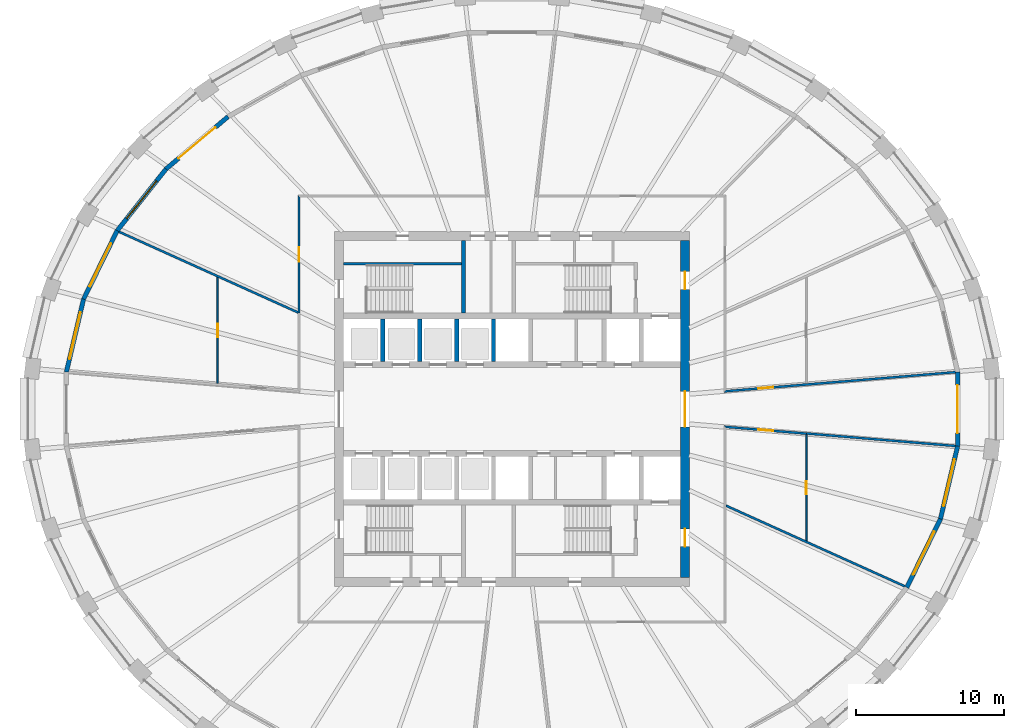
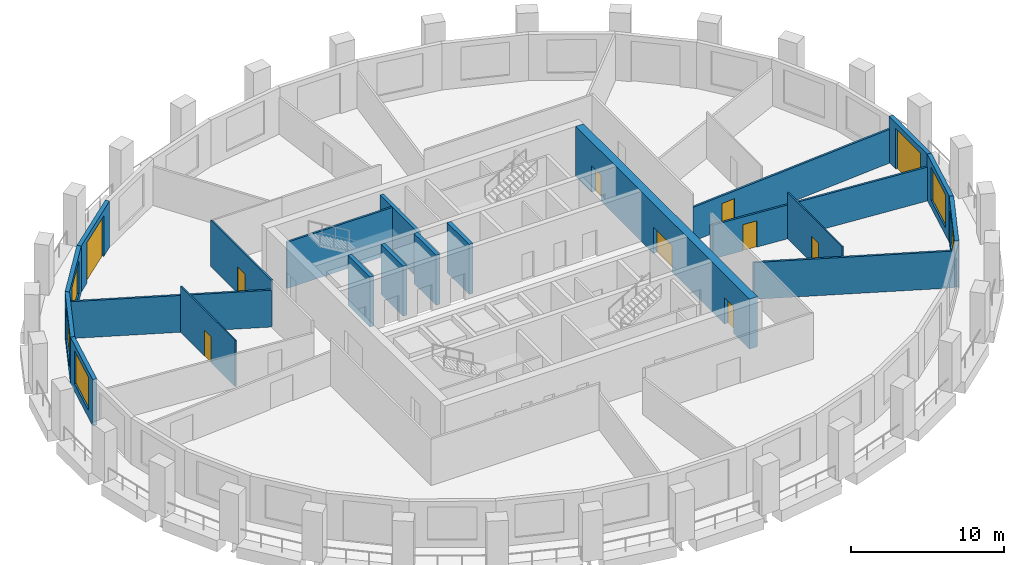
# One storey, part 5 of 10: 22 walls, 10 doors, 5 windows, 15 openings.
"""IFC4 building model written with IfcOpenShell, lengths in metres."""

from ifc_helpers import new_model, si_unit, direction, frame, frame_2d, origin, place, context, subcontext, project, spatial, polyline, rectangle, outline, extrude, material, layer, layer_set, type_object, element, fill, save


model = new_model("IFC4")

# Units and contexts
model_context = context("Model", 3, precision=1e-05, world=origin(), true_north=direction((0.0, 1.0)))
body_context = subcontext(model_context, "Body", "Model", "MODEL_VIEW")
ifc_project = project(units=[si_unit("LENGTHUNIT", "METRE"), si_unit("AREAUNIT", "SQUARE_METRE"), si_unit("VOLUMEUNIT", "CUBIC_METRE"), si_unit("PLANEANGLEUNIT", "RADIAN"), si_unit("MASSUNIT", "GRAM", prefix="KILO")], contexts=[model_context])

# Site, building, storey
site_placement = place(None, origin())
site = spatial("IfcSite", under=ifc_project, at=site_placement, CompositionType="ELEMENT")
building_placement = place(site_placement, origin())
building = spatial("IfcBuilding", under=site, at=building_placement, Name="Halqa Exchange Tower", CompositionType="ELEMENT")
storey_placement = place(building_placement, frame((0.0, 0.0, 186.89990234375)))
storey = spatial("IfcBuildingStorey", under=building, at=storey_placement, Name="L42", CompositionType="ELEMENT", Elevation=186.89990234375)

# Walls
ifc_material_1 = material(Name="Fire-rated gypsum board")
ifc_layer_1 = layer(ifc_material_1, 0.14990234375)
ifc_layer_set_1 = layer_set([ifc_layer_1], Name="Fire-rated gypsum board")
wall_type_1 = type_object("IfcWallType", Name="Fire partition EI 60 150", PredefinedType="PARTITIONING", material=ifc_layer_set_1)
wall_1_placement = place(storey_placement, frame((-26.56494140625, 11.986083984375, 0.0), z_axis=(0.0, 0.0, 1.0), x_axis=(0.911575557789, -0.411132584991, 0.0)))
element("IfcWall", 1, at=wall_1_placement, inside=storey, type_object=wall_type_1, Name="L42-PWL-002", PredefinedType="PARTITIONING", context=body_context, shape_type="SweptSolid", body=[
    extrude(outline(polyline([(0.0, -0.074951171875), (1.8486328125, -0.074951171875), (3.697509765625, -0.074951171875), (5.546142578125, -0.074951171875), (7.394775390625, -0.074951171875), (7.399169921875, -0.072998046875), (7.400146484375, -0.074951171875), (9.365478515625, -0.074951171875), (11.3310546875, -0.074951171875), (13.29638671875, -0.074951171875), (13.29638671875, -0.07470703125), (13.2763671875, -0.030517578125), (13.2900390625, -0.024169921875), (13.245361328125, 0.074951171875), (11.356201171875, 0.074951171875), (9.46728515625, 0.074951171875), (7.578125, 0.074951171875), (5.68896484375, 0.074951171875), (3.800048828125, 0.074951171875), (1.910888671875, 0.074951171875), (0.02197265625, 0.074951171875), (0.002197265625, -0.00341796875), (0.0, -0.070068359375), (0.0, -0.074951171875)])), origin(), (0.0, 0.0, 1.0), 2.947021484375),
])
wall_2_placement = place(storey_placement, frame((14.444091796875, -6.52001953125, 0.0), z_axis=(0.0, 0.0, 1.0), x_axis=(0.911592423636, -0.411095187479, 0.0)))
element("IfcWall", 2, at=wall_2_placement, inside=storey, type_object=wall_type_1, Name="L42-PWL-020", PredefinedType="PARTITIONING", context=body_context, shape_type="SweptSolid", body=[
    extrude(outline(polyline([(0.067626953125, -0.074951171875), (1.954345703125, -0.074951171875), (3.841064453125, -0.074951171875), (5.727783203125, -0.074951171875), (7.614501953125, -0.074951171875), (9.501220703125, -0.074951171875), (11.3876953125, -0.074951171875), (13.2744140625, -0.074951171875), (13.294189453125, 0.00341796875), (13.29638671875, 0.072021484375), (13.29638671875, 0.074951171875), (11.447509765625, 0.074951171875), (9.5986328125, 0.074951171875), (7.749755859375, 0.074951171875), (5.90087890625, 0.074951171875), (5.897216796875, 0.0732421875), (5.896484375, 0.074951171875), (3.930908203125, 0.074951171875), (1.965576171875, 0.074951171875), (0.0, 0.074951171875), (0.067626953125, -0.074951171875)])), origin(), (0.0, 0.0, 1.0), 2.947021484375),
])

# Wall, opening, door
wall_3_placement = place(storey_placement, frame((14.318603515625, -1.193115234375, 0.0), z_axis=(0.0, 0.0, 1.0), x_axis=(0.996519550004, -0.083359381354, 0.0)))
wall_3 = element("IfcWall", 3, at=wall_3_placement, inside=storey, type_object=wall_type_1, Name="L42-PWL-021", PredefinedType="PARTITIONING", context=body_context, shape_type="SweptSolid", body=[
    extrude(outline(polyline([(0.1630859375, -0.074951171875), (1.972900390625, -0.074951171875), (3.78271484375, -0.074951171875), (5.592529296875, -0.074951171875), (5.599853515625, -0.074462890625), (5.599853515625, 0.074951171875), (3.733154296875, 0.074951171875), (1.86669921875, 0.074951171875), (0.0, 0.074951171875), (0.081787109375, 0.0), (0.1630859375, -0.074951171875)])), origin(), (0.0, 0.0, 1.0), 2.710205078125),
])
opening_1_placement = place(wall_3_placement, frame((2.341064453125, 0.0, 0.0)))
opening_1 = element("IfcOpeningElement", 4, at=opening_1_placement, cuts=wall_3, Name="Opening 12-07", PredefinedType="OPENING", context=body_context, shape_type="SweptSolid", body=[
    extrude(rectangle(XDim=1.0, YDim=2.10009765625, at=frame_2d((0.5, 1.050048828125))), frame((0.0, 0.0869140625, 0.0), z_axis=(0.0, -1.0, 0.0), x_axis=(1.0, 0.0, 0.0)), (0.0, 0.0, 1.0), 0.173828125),
])
ifc_material_2 = material(Name="Steel fire door leaf", Category="steel")
door_type_1 = type_object("IfcDoorType", Name="Fire door FD30S 1000 x 2100", OperationType="SINGLE_SWING_LEFT", PredefinedType="DOOR", material=ifc_material_2)
door_1_placement = place(opening_1_placement, frame((1.0, 0.0, 0.0), z_axis=(0.0, 0.0, 1.0), x_axis=(-1.0, 0.0, 0.0)))
door_1 = element("IfcDoor", 5, at=door_1_placement, inside=storey, type_object=door_type_1, Name="L42-IDR-007", OperationType="SINGLE_SWING_LEFT", OverallHeight=2.10009765625, OverallWidth=1.0, PredefinedType="DOOR", context=body_context, shape_type="SweptSolid", body=[
    extrude(rectangle(XDim=1.0, YDim=2.10009765625, at=frame_2d((0.5, 1.050048828125))), frame((0.0, 0.02490234375, 0.0), z_axis=(0.0, -1.0, 0.0), x_axis=(1.0, 0.0, 0.0)), (0.0, 0.0, 1.0), 0.050048828125),
])
fill(opening_1, door_1)

wall_4_placement = place(storey_placement, frame((14.31884765625, 1.193115234375, 0.0), z_axis=(0.0, 0.0, 1.0), x_axis=(0.996561500002, 0.082856361942, 0.0)))
wall_4 = element("IfcWall", 6, at=wall_4_placement, inside=storey, type_object=wall_type_1, Name="L42-PWL-023", PredefinedType="PARTITIONING", context=body_context, shape_type="SweptSolid", body=[
    extrude(outline(polyline([(0.0, -0.074951171875), (1.963134765625, -0.074951171875), (3.92626953125, -0.074951171875), (5.889404296875, -0.074951171875), (7.8525390625, -0.074951171875), (9.815673828125, -0.074951171875), (11.77880859375, -0.074951171875), (13.741943359375, -0.074951171875), (15.705078125, -0.074951171875), (15.705078125, -0.074462890625), (15.705078125, 0.035888671875), (15.69921875, 0.074951171875), (13.757080078125, 0.074951171875), (11.815185546875, 0.074951171875), (9.873046875, 0.074951171875), (7.930908203125, 0.074951171875), (5.989013671875, 0.074951171875), (4.046875, 0.074951171875), (2.104736328125, 0.074951171875), (0.162841796875, 0.074951171875), (0.08154296875, 0.000244140625), (0.0, -0.07470703125), (0.0, -0.074951171875)])), origin(), (0.0, 0.0, 1.0), 2.710205078125),
])
opening_2_placement = place(wall_4_placement, frame((2.341064453125, 0.0, 0.0)))
opening_2 = element("IfcOpeningElement", 7, at=opening_2_placement, cuts=wall_4, Name="Opening 12-08", PredefinedType="OPENING", context=body_context, shape_type="SweptSolid", body=[
    extrude(rectangle(XDim=1.0, YDim=2.10009765625, at=frame_2d((0.5, 1.050048828125))), frame((0.0, 0.0869140625, 0.0), z_axis=(0.0, -1.0, 0.0), x_axis=(1.0, 0.0, 0.0)), (0.0, 0.0, 1.0), 0.173828125),
])
door_2_placement = place(opening_2_placement, origin())
door_2 = element("IfcDoor", 8, at=door_2_placement, inside=storey, type_object=door_type_1, Name="L42-IDR-008", OperationType="SINGLE_SWING_LEFT", OverallHeight=2.10009765625, OverallWidth=1.0, PredefinedType="DOOR", context=body_context, shape_type="SweptSolid", body=[
    extrude(rectangle(XDim=1.0, YDim=2.10009765625, at=frame_2d((0.5, 1.050048828125))), frame((0.0, 0.02490234375, 0.0), z_axis=(0.0, -1.0, 0.0), x_axis=(1.0, 0.0, 0.0)), (0.0, 0.0, 1.0), 0.050048828125),
])
fill(opening_2, door_2)

# Wall
wall_5_placement = place(storey_placement, frame((19.89990234375, -1.64990234375, 0.0), z_axis=(0.0, 0.0, 1.0), x_axis=(0.996505820255, -0.083523351209, 0.0)))
element("IfcWall", 9, at=wall_5_placement, inside=storey, type_object=wall_type_1, Name="L42-PWL-026", PredefinedType="PARTITIONING", context=body_context, shape_type="SweptSolid", body=[
    extrude(outline(polyline([(0.0, -0.074951171875), (1.683349609375, -0.074951171875), (3.366455078125, -0.074951171875), (5.0498046875, -0.074951171875), (6.733154296875, -0.074951171875), (8.41650390625, -0.074951171875), (10.099609375, -0.074951171875), (10.10498046875, -0.039306640625), (10.10498046875, 0.074951171875), (8.4208984375, 0.074951171875), (6.736572265625, 0.074951171875), (5.052490234375, 0.074951171875), (3.368408203125, 0.074951171875), (1.68408203125, 0.074951171875), (0.0, 0.074951171875), (0.0, -0.074951171875)])), origin(), (0.0, 0.0, 1.0), 2.710205078125),
])

# Wall, opening, door
ifc_material_3 = material(Name="Fire-rated glazing", Category="glass")
ifc_layer_2 = layer(ifc_material_3, 0.1201171875)
ifc_layer_set_2 = layer_set([ifc_layer_2], Name="Fire-rated glazing")
wall_type_2 = type_object("IfcWallType", Name="Glazed fire partition EI 60 120", PredefinedType="PARTITIONING", material=ifc_layer_set_2)
wall_6_placement = place(storey_placement, frame((-14.39990234375, 6.5, 0.0), z_axis=(0.0, 0.0, 1.0), x_axis=(0.0, 1.0, 0.0)))
wall_6 = element("IfcWall", 10, at=wall_6_placement, inside=storey, type_object=wall_type_2, Name="L42-PWL-007", PredefinedType="PARTITIONING", context=body_context, shape_type="SweptSolid", body=[
    extrude(outline(polyline([(0.0, -0.06005859375), (1.9599609375, -0.06005859375), (3.919921875, -0.06005859375), (5.8798828125, -0.06005859375), (7.83984375, -0.06005859375), (7.9599609375, 0.06005859375), (5.969970703125, 0.06005859375), (3.97998046875, 0.06005859375), (1.989990234375, 0.06005859375), (0.0, 0.06005859375), (0.0, -0.06005859375)])), origin(), (0.0, 0.0, 1.0), 3.7001953125),
])
opening_3_placement = place(wall_6_placement, frame((3.449951171875, 0.0, 0.0)))
opening_3 = element("IfcOpeningElement", 11, at=opening_3_placement, cuts=wall_6, Name="Opening 12-02", PredefinedType="OPENING", context=body_context, shape_type="SweptSolid", body=[
    extrude(rectangle(XDim=1.0, YDim=2.10009765625, at=frame_2d((0.5, 1.050048828125))), frame((0.0, 0.072021484375, 0.0), z_axis=(0.0, -1.0, 0.0), x_axis=(1.0, 0.0, 0.0)), (0.0, 0.0, 1.0), 0.14404296875),
])
door_3_placement = place(opening_3_placement, origin())
door_3 = element("IfcDoor", 12, at=door_3_placement, inside=storey, type_object=door_type_1, Name="L42-IDR-002", OperationType="SINGLE_SWING_RIGHT", OverallHeight=2.10009765625, OverallWidth=1.0, PredefinedType="DOOR", context=body_context, shape_type="SweptSolid", body=[
    extrude(rectangle(XDim=1.0, YDim=2.10009765625, at=frame_2d((0.5, 1.050048828125))), frame((0.0, 0.02490234375, 0.0), z_axis=(0.0, -1.0, 0.0), x_axis=(1.0, 0.0, 0.0)), (0.0, 0.0, 1.0), 0.050048828125),
])
fill(opening_3, door_3)

ifc_material_4 = material(Name="Gypsum board")
ifc_layer_3 = layer(ifc_material_4, 0.10009765625)
ifc_layer_set_3 = layer_set([ifc_layer_3], Name="Gypsum board")
wall_type_3 = type_object("IfcWallType", Name="Partition 100 gypsum", PredefinedType="PARTITIONING", material=ifc_layer_set_3)
wall_7_placement = place(storey_placement, frame((-19.89990234375, 1.728515625, 0.0), z_axis=(0.0, 0.0, 1.0), x_axis=(0.0, 1.0, 0.0)))
wall_7 = element("IfcWall", 13, at=wall_7_placement, inside=storey, type_object=wall_type_3, Name="L42-PWL-003", PredefinedType="PARTITIONING", context=body_context, shape_type="SweptSolid", body=[
    extrude(outline(polyline([(0.0, -0.050048828125), (1.78662109375, -0.050048828125), (3.5732421875, -0.050048828125), (5.35986328125, -0.050048828125), (7.146484375, -0.050048828125), (7.19140625, 0.04931640625), (7.19140625, 0.050048828125), (5.3955078125, 0.050048828125), (3.599853515625, 0.050048828125), (1.803955078125, 0.050048828125), (0.008056640625, 0.050048828125), (0.0, -0.0478515625), (0.0, -0.050048828125)])), origin(), (0.0, 0.0, 1.0), 3.7001953125),
])
opening_4_placement = place(wall_7_placement, frame((3.1416015625, 0.0, 0.0)))
opening_4 = element("IfcOpeningElement", 14, at=opening_4_placement, cuts=wall_7, Name="Opening 12-11", PredefinedType="OPENING", context=body_context, shape_type="SweptSolid", body=[
    extrude(rectangle(XDim=0.89990234375, YDim=2.10009765625, at=frame_2d((0.449951171875, 1.050048828125))), frame((0.0, 0.06201171875, 0.0), z_axis=(0.0, -1.0, 0.0), x_axis=(1.0, 0.0, 0.0)), (0.0, 0.0, 1.0), 0.1240234375),
])
ifc_material_5 = material(Name="Timber door leaf", Category="wood")
door_type_2 = type_object("IfcDoorType", Name="Door 900 x 2100", OperationType="SINGLE_SWING_LEFT", PredefinedType="DOOR", material=ifc_material_5)
door_4_placement = place(opening_4_placement, frame((0.89990234375, 0.0, 0.0), z_axis=(0.0, 0.0, 1.0), x_axis=(-1.0, 0.0, 0.0)))
door_4 = element("IfcDoor", 15, at=door_4_placement, inside=storey, type_object=door_type_2, Name="L42-IDR-011", OperationType="SINGLE_SWING_LEFT", OverallHeight=2.10009765625, OverallWidth=0.89990234375, PredefinedType="DOOR", context=body_context, shape_type="SweptSolid", body=[
    extrude(rectangle(XDim=0.89990234375, YDim=2.10009765625, at=frame_2d((0.449951171875, 1.050048828125))), frame((0.0, 0.02490234375, 0.0), z_axis=(0.0, -1.0, 0.0), x_axis=(1.0, 0.0, 0.0)), (0.0, 0.0, 1.0), 0.050048828125),
])
fill(opening_4, door_4)

wall_8_placement = place(storey_placement, frame((19.89990234375, -1.7294921875, 0.0), z_axis=(0.0, 0.0, 1.0), x_axis=(0.0, -1.0, 0.0)))
wall_8 = element("IfcWall", 16, at=wall_8_placement, inside=storey, type_object=wall_type_3, Name="L42-PWL-025", PredefinedType="PARTITIONING", context=body_context, shape_type="SweptSolid", body=[
    extrude(outline(polyline([(0.001708984375, -0.050048828125), (1.78759765625, -0.050048828125), (3.57373046875, -0.050048828125), (5.35986328125, -0.050048828125), (7.14599609375, -0.050048828125), (7.19091796875, 0.0498046875), (7.19091796875, 0.050048828125), (5.39306640625, 0.050048828125), (3.595458984375, 0.050048828125), (1.7978515625, 0.050048828125), (0.0, 0.050048828125), (0.0, -0.006591796875), (0.005126953125, -0.007080078125), (0.001708984375, -0.050048828125)])), origin(), (0.0, 0.0, 1.0), 3.7001953125),
])
opening_5_placement = place(wall_8_placement, frame((3.140380859375, 0.0, 0.0)))
opening_5 = element("IfcOpeningElement", 17, at=opening_5_placement, cuts=wall_8, Name="Opening 12-12", PredefinedType="OPENING", context=body_context, shape_type="SweptSolid", body=[
    extrude(rectangle(XDim=0.89990234375, YDim=2.10009765625, at=frame_2d((0.449951171875, 1.050048828125))), frame((0.0, 0.06201171875, 0.0), z_axis=(0.0, -1.0, 0.0), x_axis=(1.0, 0.0, 0.0)), (0.0, 0.0, 1.0), 0.1240234375),
])
door_5_placement = place(opening_5_placement, frame((0.89990234375, 0.0, 0.0), z_axis=(0.0, 0.0, 1.0), x_axis=(-1.0, 0.0, 0.0)))
door_5 = element("IfcDoor", 18, at=door_5_placement, inside=storey, type_object=door_type_2, Name="L42-IDR-012", OperationType="SINGLE_SWING_LEFT", OverallHeight=2.10009765625, OverallWidth=0.89990234375, PredefinedType="DOOR", context=body_context, shape_type="SweptSolid", body=[
    extrude(rectangle(XDim=0.89990234375, YDim=2.10009765625, at=frame_2d((0.449951171875, 1.050048828125))), frame((0.0, 0.02490234375, 0.0), z_axis=(0.0, -1.0, 0.0), x_axis=(1.0, 0.0, 0.0)), (0.0, 0.0, 1.0), 0.050048828125),
])
fill(opening_5, door_5)

# Walls
ifc_material_6 = material(Name="Concrete C60/75", Category="concrete")
ifc_layer_4 = layer(ifc_material_6, 0.300048828125)
ifc_layer_set_4 = layer_set([ifc_layer_4], Name="Concrete C60/75")
wall_type_4 = type_object("IfcWallType", Name="RC core wall 300", PredefinedType="SHEAR", material=ifc_layer_set_4)
for number, where, z_axis, x_axis, name in (
    (19, (-8.75, 3.199951171875, 0.0), (0.0, 0.0, 1.0), (0.0, 1.0, 0.0), "Shaft divider N1"),
    (20, (-6.25, 3.199951171875, 0.0), (0.0, 0.0, 1.0), (0.0, 1.0, 0.0), "Shaft divider N2"),
    (21, (-3.75, 3.199951171875, 0.0), (0.0, 0.0, 1.0), (0.0, 1.0, 0.0), "Shaft divider N3"),
    (22, (-1.25, 3.199951171875, 0.0), (0.0, 0.0, 1.0), (0.0, 1.0, 0.0), "Shaft divider N4"),
):
    element("IfcWall", number, at=place(storey_placement, frame(where, z_axis=z_axis, x_axis=x_axis)), inside=storey, type_object=wall_type_4, Name=name, PredefinedType="SHEAR", context=body_context, shape_type="SweptSolid", body=[
        extrude(rectangle(XDim=2.900146484375, YDim=0.300048828125, at=frame_2d((1.4501953125, 0.0))), origin(), (0.0, 0.0, 1.0), 4.0),
    ])

# Wall, openings, doors
ifc_material_7 = material(Name="Concrete C70/85", Category="concrete")
ifc_layer_5 = layer(ifc_material_7, 0.60009765625)
ifc_layer_set_5 = layer_set([ifc_layer_5], Name="Concrete C70/85")
wall_type_5 = type_object("IfcWallType", Name="RC core wall 600 C70/85", PredefinedType="SHEAR", material=ifc_layer_set_5)
wall_9_placement = place(storey_placement, frame((11.699951171875, -11.39990234375, 0.0), z_axis=(0.0, 0.0, 1.0), x_axis=(0.0, 1.0, 0.0)))
wall_9 = element("IfcWall", 23, at=wall_9_placement, inside=storey, type_object=wall_type_5, Name="Core wall east", PredefinedType="SHEAR", context=body_context, shape_type="SweptSolid", body=[
    extrude(rectangle(XDim=22.7998046875, YDim=0.60009765625, at=frame_2d((11.39990234375, 0.0))), origin(), (0.0, 0.0, 1.0), 4.0),
])
opening_6_placement = place(wall_9_placement, frame((10.199951171875, 0.0, 0.0)))
opening_6 = element("IfcOpeningElement", 24, at=opening_6_placement, cuts=wall_9, Name="Opening T12-C14", PredefinedType="OPENING", context=body_context, shape_type="SweptSolid", body=[
    extrude(rectangle(XDim=2.39990234375, YDim=2.10009765625, at=frame_2d((1.199951171875, 1.050048828125))), frame((0.0, 0.31201171875, 0.0), z_axis=(0.0, -1.0, 0.0), x_axis=(1.0, 0.0, 0.0)), (0.0, 0.0, 1.0), 0.6240234375),
])
opening_7_placement = place(wall_9_placement, frame((19.5, 0.0, 0.0)))
opening_7 = element("IfcOpeningElement", 25, at=opening_7_placement, cuts=wall_9, Name="Opening T12-C19", PredefinedType="OPENING", context=body_context, shape_type="SweptSolid", body=[
    extrude(rectangle(XDim=1.199951171875, YDim=2.10009765625, at=frame_2d((0.60009765625, 1.050048828125))), frame((0.0, 0.31201171875, 0.0), z_axis=(0.0, -1.0, 0.0), x_axis=(1.0, 0.0, 0.0)), (0.0, 0.0, 1.0), 0.6240234375),
])
opening_8_placement = place(wall_9_placement, frame((2.10009765625, 0.0, 0.0)))
opening_8 = element("IfcOpeningElement", 26, at=opening_8_placement, cuts=wall_9, Name="Opening T12-C20", PredefinedType="OPENING", context=body_context, shape_type="SweptSolid", body=[
    extrude(rectangle(XDim=1.199951171875, YDim=2.10009765625, at=frame_2d((0.60009765625, 1.050048828125))), frame((0.0, 0.31201171875, 0.0), z_axis=(0.0, -1.0, 0.0), x_axis=(1.0, 0.0, 0.0)), (0.0, 0.0, 1.0), 0.6240234375),
])
door_type_3 = type_object("IfcDoorType", Name="Firefighting lobby door FD90 1200 x 2100", OperationType="SINGLE_SWING_RIGHT", PredefinedType="DOOR", material=ifc_material_2)
door_6_placement = place(opening_7_placement, origin())
door_6 = element("IfcDoor", 27, at=door_6_placement, inside=storey, type_object=door_type_3, Name="Firefighting lobby door", OperationType="SINGLE_SWING_RIGHT", OverallHeight=2.10009765625, OverallWidth=1.199951171875, PredefinedType="DOOR", context=body_context, shape_type="SweptSolid", body=[
    extrude(rectangle(XDim=1.199951171875, YDim=2.10009765625, at=frame_2d((0.60009765625, 1.050048828125))), frame((0.0, 0.02490234375, 0.0), z_axis=(0.0, -1.0, 0.0), x_axis=(1.0, 0.0, 0.0)), (0.0, 0.0, 1.0), 0.050048828125),
])
fill(opening_7, door_6)
door_7_placement = place(opening_8_placement, origin())
door_7 = element("IfcDoor", 28, at=door_7_placement, inside=storey, type_object=door_type_3, Name="Firefighting lobby door", OperationType="SINGLE_SWING_LEFT", OverallHeight=2.10009765625, OverallWidth=1.199951171875, PredefinedType="DOOR", context=body_context, shape_type="SweptSolid", body=[
    extrude(rectangle(XDim=1.199951171875, YDim=2.10009765625, at=frame_2d((0.60009765625, 1.050048828125))), frame((0.0, 0.02490234375, 0.0), z_axis=(0.0, -1.0, 0.0), x_axis=(1.0, 0.0, 0.0)), (0.0, 0.0, 1.0), 0.050048828125),
])
fill(opening_8, door_7)
door_type_4 = type_object("IfcDoorType", Name="Lobby double door FD60 2400 x 2100", OperationType="DOUBLE_DOOR_SINGLE_SWING", PredefinedType="DOOR", material=ifc_material_2)
door_8_placement = place(opening_6_placement, origin())
door_8 = element("IfcDoor", 29, at=door_8_placement, inside=storey, type_object=door_type_4, Name="Lift lobby double door", OperationType="DOUBLE_DOOR_SINGLE_SWING", OverallHeight=2.10009765625, OverallWidth=2.39990234375, PredefinedType="DOOR", context=body_context, shape_type="SweptSolid", body=[
    extrude(rectangle(XDim=2.39990234375, YDim=2.10009765625, at=frame_2d((1.199951171875, 1.050048828125))), frame((0.0, 0.02490234375, 0.0), z_axis=(0.0, -1.0, 0.0), x_axis=(1.0, 0.0, 0.0)), (0.0, 0.0, 1.0), 0.050048828125),
])
fill(opening_6, door_8)

# Walls
ifc_material_8 = material(Name="Concrete C30/37", Category="concrete")
ifc_layer_6 = layer(ifc_material_8, 0.14990234375)
ifc_layer_set_6 = layer_set([ifc_layer_6], Name="Concrete C30/37")
wall_type_6 = type_object("IfcWallType", Name="RC stair wall 150 C30/37", PredefinedType="SHEAR", material=ifc_layer_set_6)
wall_10_placement = place(storey_placement, frame((-11.39990234375, 9.824951171875, 0.0), z_axis=(0.0, 0.0, 1.0), x_axis=(1.0, 0.0, 0.0)))
element("IfcWall", 30, at=wall_10_placement, inside=storey, type_object=wall_type_6, Name="Stair ST1 north wall N", PredefinedType="SHEAR", context=body_context, shape_type="SweptSolid", body=[
    extrude(rectangle(XDim=8.0, YDim=0.14990234375, at=frame_2d((4.0, 0.0))), origin(), (0.0, 0.0, 1.0), 3.7001953125),
])
ifc_layer_7 = layer(ifc_material_8, 0.25)
ifc_layer_set_7 = layer_set([ifc_layer_7], Name="Concrete C30/37")
wall_type_7 = type_object("IfcWallType", Name="RC stair wall 250 C30/37", PredefinedType="SHEAR", material=ifc_layer_set_7)
wall_11_placement = place(storey_placement, frame((-3.27490234375, 6.5, 0.0), z_axis=(0.0, 0.0, 1.0), x_axis=(0.0, 1.0, 0.0)))
element("IfcWall", 31, at=wall_11_placement, inside=storey, type_object=wall_type_7, Name="Stair ST1 east wall N", PredefinedType="SHEAR", context=body_context, shape_type="SweptSolid", body=[
    extrude(rectangle(XDim=4.89990234375, YDim=0.25, at=frame_2d((2.449951171875, 0.0))), origin(), (0.0, 0.0, 1.0), 3.7001953125),
])

# Wall, opening, door
ifc_material_9 = material(Name="Limestone cladding", Category="masonry")
ifc_layer_8 = layer(ifc_material_9, 0.0400390625)
ifc_material_10 = material(Name="Ventilated cavity")
ifc_layer_9 = layer(ifc_material_10, 0.030029296875, ventilated=True)
ifc_material_11 = material(Name="Mineral wool insulation")
ifc_layer_10 = layer(ifc_material_11, 0.10009765625)
ifc_layer_11 = layer(ifc_material_8, 0.10009765625)
ifc_material_12 = material(Name="Internal plaster")
ifc_layer_12 = layer(ifc_material_12, 0.030029296875)
ifc_layer_set_8 = layer_set([ifc_layer_8, ifc_layer_9, ifc_layer_10, ifc_layer_11, ifc_layer_12], Name="Stone-faced insulated wall 300")
wall_type_8 = type_object("IfcWallType", Name="Stone-faced insulated wall 300", PredefinedType="STANDARD", material=ifc_layer_set_8)
wall_12_placement = place(storey_placement, frame((-19.194580078125, 19.772216796875, 0.0), z_axis=(0.0, 0.0, 1.0), x_axis=(-0.764238764041, -0.64493341636, 0.0)))
wall_12 = element("IfcWall", 32, at=wall_12_placement, inside=storey, type_object=wall_type_8, Name="Glass-line wall 12", PredefinedType="STANDARD", context=body_context, shape_type="SweptSolid", body=[
    extrude(outline(polyline([(-0.01416015625, -0.14990234375), (5.507568359375, -0.14990234375), (5.477294921875, 0.14990234375), (0.01416015625, 0.14990234375), (-0.01416015625, -0.14990234375)])), origin(), (0.0, 0.0, 1.0), 3.7001953125),
])
opening_9_placement = place(wall_12_placement, frame((1.12109375, 0.0, 0.0)))
opening_9 = element("IfcOpeningElement", 33, at=opening_9_placement, cuts=wall_12, Name="Opening LG-F3-03", PredefinedType="OPENING", context=body_context, shape_type="SweptSolid", body=[
    extrude(rectangle(XDim=3.25, YDim=3.25, at=frame_2d((1.625, 1.625))), frame((0.0, 0.162109375, 0.0), z_axis=(0.0, -1.0, 0.0), x_axis=(1.0, 0.0, 0.0)), (0.0, 0.0, 1.0), 0.323974609375),
])
ifc_material_13 = material(Name="Clear low-emissivity glass in aluminium frame", Category="aluminium")
door_type_5 = type_object("IfcDoorType", Name="Glazed sliding loggia door 3250 x 3250", OperationType="DOUBLE_DOOR_SLIDING", PredefinedType="DOOR", material=ifc_material_13)
door_9_placement = place(opening_9_placement, origin())
door_9 = element("IfcDoor", 34, at=door_9_placement, inside=storey, type_object=door_type_5, Name="Loggia door 3", OperationType="DOUBLE_DOOR_SLIDING", OverallHeight=3.25, OverallWidth=3.25, PredefinedType="DOOR", context=body_context, shape_type="SweptSolid", body=[
    extrude(rectangle(XDim=3.25, YDim=3.25, at=frame_2d((1.625, 1.625))), frame((0.0, 0.02490234375, 0.0), z_axis=(0.0, -1.0, 0.0), x_axis=(1.0, 0.0, 0.0)), (0.0, 0.0, 1.0), 0.050048828125),
])
fill(opening_9, door_9)

# Wall, opening, window
wall_13_placement = place(storey_placement, frame((-23.39208984375, 16.22998046875, 0.0), z_axis=(0.0, 0.0, 1.0), x_axis=(-0.620766467446, -0.78399553117, 0.0)))
wall_13 = element("IfcWall", 35, at=wall_13_placement, inside=storey, type_object=wall_type_8, Name="Glass-line wall 13", PredefinedType="STANDARD", context=body_context, shape_type="SweptSolid", body=[
    extrude(outline(polyline([(-0.01513671875, -0.14990234375), (5.331787109375, -0.14990234375), (5.299560546875, 0.14990234375), (0.01513671875, 0.14990234375), (-0.01513671875, -0.14990234375)])), origin(), (0.0, 0.0, 1.0), 3.7001953125),
])
opening_10_placement = place(wall_13_placement, frame((1.032958984375, 0.0, 0.60009765625)))
opening_10 = element("IfcOpeningElement", 36, at=opening_10_placement, cuts=wall_13, Name="Opening W-F3-13", PredefinedType="OPENING", context=body_context, shape_type="SweptSolid", body=[
    extrude(rectangle(XDim=3.25, YDim=2.64990234375, at=frame_2d((1.625, 1.324951171875))), frame((0.0, 0.162109375, 0.0), z_axis=(0.0, -1.0, 0.0), x_axis=(1.0, 0.0, 0.0)), (0.0, 0.0, 1.0), 0.323974609375),
])
window_type = type_object("IfcWindowType", Name="Fixed clear glazed window 3250 x 2650", PartitioningType="TRIPLE_PANEL_VERTICAL", PredefinedType="WINDOW", material=ifc_material_13)
window_1_placement = place(opening_10_placement, origin())
window_1 = element("IfcWindow", 37, at=window_1_placement, inside=storey, type_object=window_type, Name="Window 3", OverallHeight=2.64990234375, OverallWidth=3.25, PartitioningType="TRIPLE_PANEL_VERTICAL", PredefinedType="WINDOW", context=body_context, shape_type="SweptSolid", body=[
    extrude(rectangle(XDim=3.25, YDim=2.64990234375, at=frame_2d((1.625, 1.324951171875))), frame((0.0, 0.030029296875, 0.0), z_axis=(0.0, -1.0, 0.0), x_axis=(1.0, 0.0, 0.0)), (0.0, 0.0, 1.0), 0.06005859375),
])
fill(opening_10, window_1)

wall_14_placement = place(storey_placement, frame((-26.69189453125, 12.0625, 0.0), z_axis=(0.0, 0.0, 1.0), x_axis=(-0.440673883676, -0.897667270343, 0.0)))
wall_14 = element("IfcWall", 38, at=wall_14_placement, inside=storey, type_object=wall_type_8, Name="Glass-line wall 14", PredefinedType="STANDARD", context=body_context, shape_type="SweptSolid", body=[
    extrude(outline(polyline([(-0.01611328125, -0.14990234375), (5.177978515625, -0.14990234375), (5.144287109375, 0.14990234375), (0.01611328125, 0.14990234375), (-0.01611328125, -0.14990234375)])), origin(), (0.0, 0.0, 1.0), 3.7001953125),
])
opening_11_placement = place(wall_14_placement, frame((0.95556640625, 0.0, 0.60009765625)))
opening_11 = element("IfcOpeningElement", 39, at=opening_11_placement, cuts=wall_14, Name="Opening W-F3-14", PredefinedType="OPENING", context=body_context, shape_type="SweptSolid", body=[
    extrude(rectangle(XDim=3.25, YDim=2.64990234375, at=frame_2d((1.625, 1.324951171875))), frame((0.0, 0.162109375, 0.0), z_axis=(0.0, -1.0, 0.0), x_axis=(1.0, 0.0, 0.0)), (0.0, 0.0, 1.0), 0.323974609375),
])
window_2_placement = place(opening_11_placement, origin())
window_2 = element("IfcWindow", 40, at=window_2_placement, inside=storey, type_object=window_type, Name="Window 3", OverallHeight=2.64990234375, OverallWidth=3.25, PartitioningType="TRIPLE_PANEL_VERTICAL", PredefinedType="WINDOW", context=body_context, shape_type="SweptSolid", body=[
    extrude(rectangle(XDim=3.25, YDim=2.64990234375, at=frame_2d((1.625, 1.324951171875))), frame((0.0, 0.030029296875, 0.0), z_axis=(0.0, -1.0, 0.0), x_axis=(1.0, 0.0, 0.0)), (0.0, 0.0, 1.0), 0.06005859375),
])
fill(opening_11, window_2)

wall_15_placement = place(storey_placement, frame((-28.96630859375, 7.429443359375, 0.0), z_axis=(0.0, 0.0, 1.0), x_axis=(-0.229434992017, -0.973323987395, 0.0)))
wall_15 = element("IfcWall", 41, at=wall_15_placement, inside=storey, type_object=wall_type_8, Name="Glass-line wall 15", PredefinedType="STANDARD", context=body_context, shape_type="SweptSolid", body=[
    extrude(outline(polyline([(-0.016845703125, -0.14990234375), (5.07275390625, -0.14990234375), (5.0380859375, 0.14990234375), (0.016845703125, 0.14990234375), (-0.016845703125, -0.14990234375)])), origin(), (0.0, 0.0, 1.0), 3.7001953125),
])
opening_12_placement = place(wall_15_placement, frame((0.902587890625, 0.0, 0.60009765625)))
opening_12 = element("IfcOpeningElement", 42, at=opening_12_placement, cuts=wall_15, Name="Opening W-F3-15", PredefinedType="OPENING", context=body_context, shape_type="SweptSolid", body=[
    extrude(rectangle(XDim=3.25, YDim=2.64990234375, at=frame_2d((1.625, 1.324951171875))), frame((0.0, 0.162109375, 0.0), z_axis=(0.0, -1.0, 0.0), x_axis=(1.0, 0.0, 0.0)), (0.0, 0.0, 1.0), 0.323974609375),
])
window_3_placement = place(opening_12_placement, origin())
window_3 = element("IfcWindow", 43, at=window_3_placement, inside=storey, type_object=window_type, Name="Window 3", OverallHeight=2.64990234375, OverallWidth=3.25, PartitioningType="TRIPLE_PANEL_VERTICAL", PredefinedType="WINDOW", context=body_context, shape_type="SweptSolid", body=[
    extrude(rectangle(XDim=3.25, YDim=2.64990234375, at=frame_2d((1.625, 1.324951171875))), frame((0.0, 0.030029296875, 0.0), z_axis=(0.0, -1.0, 0.0), x_axis=(1.0, 0.0, 0.0)), (0.0, 0.0, 1.0), 0.06005859375),
])
fill(opening_12, window_3)

wall_16_placement = place(storey_placement, frame((26.69189453125, -12.0625, 0.0), z_axis=(0.0, 0.0, 1.0), x_axis=(0.440673883676, 0.897667270343, 0.0)))
wall_16 = element("IfcWall", 44, at=wall_16_placement, inside=storey, type_object=wall_type_8, Name="Glass-line wall 30", PredefinedType="STANDARD", context=body_context, shape_type="SweptSolid", body=[
    extrude(outline(polyline([(-0.01611328125, -0.14990234375), (5.177978515625, -0.14990234375), (5.144287109375, 0.14990234375), (0.01611328125, 0.14990234375), (-0.01611328125, -0.14990234375)])), origin(), (0.0, 0.0, 1.0), 3.7001953125),
])
opening_13_placement = place(wall_16_placement, frame((0.95556640625, 0.0, 0.60009765625)))
opening_13 = element("IfcOpeningElement", 45, at=opening_13_placement, cuts=wall_16, Name="Opening W-F3-30", PredefinedType="OPENING", context=body_context, shape_type="SweptSolid", body=[
    extrude(rectangle(XDim=3.25, YDim=2.64990234375, at=frame_2d((1.625, 1.324951171875))), frame((0.0, 0.162109375, 0.0), z_axis=(0.0, -1.0, 0.0), x_axis=(1.0, 0.0, 0.0)), (0.0, 0.0, 1.0), 0.323974609375),
])
window_4_placement = place(opening_13_placement, origin())
window_4 = element("IfcWindow", 46, at=window_4_placement, inside=storey, type_object=window_type, Name="Window 3", OverallHeight=2.64990234375, OverallWidth=3.25, PartitioningType="TRIPLE_PANEL_VERTICAL", PredefinedType="WINDOW", context=body_context, shape_type="SweptSolid", body=[
    extrude(rectangle(XDim=3.25, YDim=2.64990234375, at=frame_2d((1.625, 1.324951171875))), frame((0.0, 0.030029296875, 0.0), z_axis=(0.0, -1.0, 0.0), x_axis=(1.0, 0.0, 0.0)), (0.0, 0.0, 1.0), 0.06005859375),
])
fill(opening_13, window_4)

wall_17_placement = place(storey_placement, frame((28.96630859375, -7.429443359375, 0.0), z_axis=(0.0, 0.0, 1.0), x_axis=(0.229434992017, 0.973323987395, 0.0)))
wall_17 = element("IfcWall", 47, at=wall_17_placement, inside=storey, type_object=wall_type_8, Name="Glass-line wall 31", PredefinedType="STANDARD", context=body_context, shape_type="SweptSolid", body=[
    extrude(outline(polyline([(-0.016845703125, -0.14990234375), (5.07275390625, -0.14990234375), (5.0380859375, 0.14990234375), (0.016845703125, 0.14990234375), (-0.016845703125, -0.14990234375)])), origin(), (0.0, 0.0, 1.0), 3.7001953125),
])
opening_14_placement = place(wall_17_placement, frame((0.902587890625, 0.0, 0.60009765625)))
opening_14 = element("IfcOpeningElement", 48, at=opening_14_placement, cuts=wall_17, Name="Opening W-F3-31", PredefinedType="OPENING", context=body_context, shape_type="SweptSolid", body=[
    extrude(rectangle(XDim=3.25, YDim=2.64990234375, at=frame_2d((1.625, 1.324951171875))), frame((0.0, 0.162109375, 0.0), z_axis=(0.0, -1.0, 0.0), x_axis=(1.0, 0.0, 0.0)), (0.0, 0.0, 1.0), 0.323974609375),
])
window_5_placement = place(opening_14_placement, origin())
window_5 = element("IfcWindow", 49, at=window_5_placement, inside=storey, type_object=window_type, Name="Window 3", OverallHeight=2.64990234375, OverallWidth=3.25, PartitioningType="TRIPLE_PANEL_VERTICAL", PredefinedType="WINDOW", context=body_context, shape_type="SweptSolid", body=[
    extrude(rectangle(XDim=3.25, YDim=2.64990234375, at=frame_2d((1.625, 1.324951171875))), frame((0.0, 0.030029296875, 0.0), z_axis=(0.0, -1.0, 0.0), x_axis=(1.0, 0.0, 0.0)), (0.0, 0.0, 1.0), 0.06005859375),
])
fill(opening_14, window_5)

# Wall, opening, door
wall_18_placement = place(storey_placement, frame((30.126220703125, -2.5087890625, 0.0), z_axis=(0.0, 0.0, 1.0), x_axis=(0.0, 1.0, 0.0)))
wall_18 = element("IfcWall", 50, at=wall_18_placement, inside=storey, type_object=wall_type_8, Name="Glass-line wall 32", PredefinedType="STANDARD", context=body_context, shape_type="SweptSolid", body=[
    extrude(outline(polyline([(-0.017333984375, -0.14990234375), (5.034912109375, -0.14990234375), (5.000244140625, 0.14990234375), (0.017333984375, 0.14990234375), (-0.017333984375, -0.14990234375)])), origin(), (0.0, 0.0, 1.0), 3.7001953125),
])
opening_15_placement = place(wall_18_placement, frame((0.8837890625, 0.0, 0.0)))
opening_15 = element("IfcOpeningElement", 51, at=opening_15_placement, cuts=wall_18, Name="Opening LG-F3-08", PredefinedType="OPENING", context=body_context, shape_type="SweptSolid", body=[
    extrude(rectangle(XDim=3.25, YDim=3.25, at=frame_2d((1.625, 1.625))), frame((0.0, 0.162109375, 0.0), z_axis=(0.0, -1.0, 0.0), x_axis=(1.0, 0.0, 0.0)), (0.0, 0.0, 1.0), 0.323974609375),
])
door_10_placement = place(opening_15_placement, origin())
door_10 = element("IfcDoor", 52, at=door_10_placement, inside=storey, type_object=door_type_5, Name="Loggia door 8", OperationType="DOUBLE_DOOR_SLIDING", OverallHeight=3.25, OverallWidth=3.25, PredefinedType="DOOR", context=body_context, shape_type="SweptSolid", body=[
    extrude(rectangle(XDim=3.25, YDim=3.25, at=frame_2d((1.625, 1.625))), frame((0.0, 0.02490234375, 0.0), z_axis=(0.0, -1.0, 0.0), x_axis=(1.0, 0.0, 0.0)), (0.0, 0.0, 1.0), 0.050048828125),
])
fill(opening_15, door_10)

save(model, "model.ifc")
